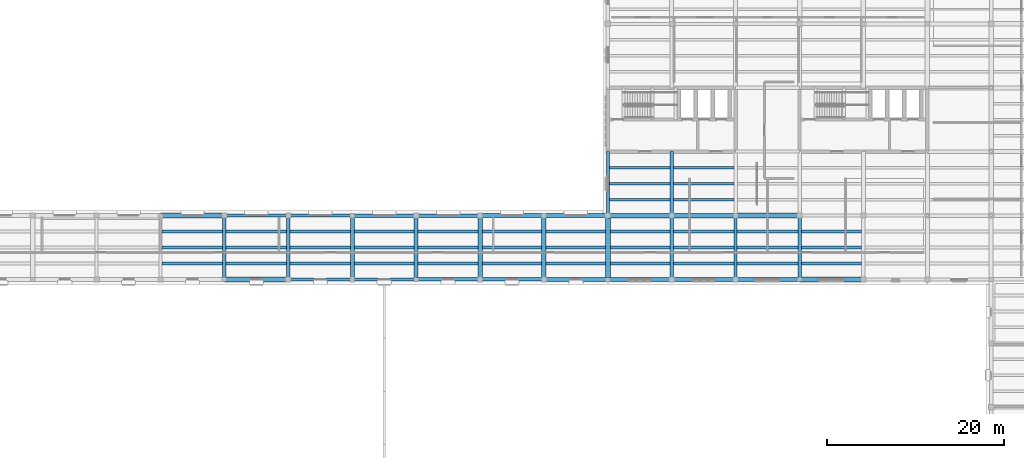
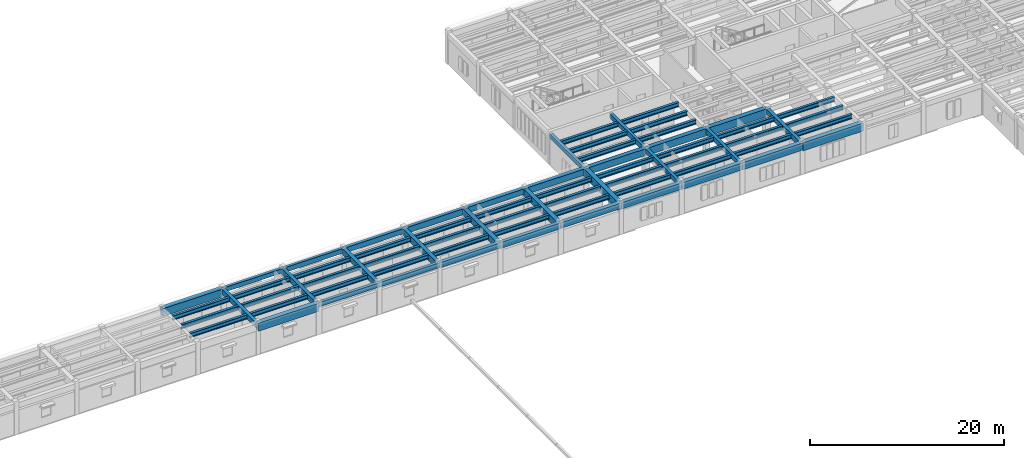
# One storey, part 2 of 27: 71 beams.
"""IFC4 building model written with IfcOpenShell, lengths in metres."""

from ifc_helpers import new_model, si_unit, direction, frame, origin, origin_2d, place, context, subcontext, project, spatial, rectangle, i_section, extrude, material, material_profile, profile_set, type_object, element, save


model = new_model("IFC4")

# Units and contexts
model_context = context("Model", 3, precision=1e-05, world=origin(), true_north=direction((0.0, 1.0)))
body_context = subcontext(model_context, "Body", "Model", "MODEL_VIEW")
ifc_project = project(units=[si_unit("LENGTHUNIT", "METRE"), si_unit("AREAUNIT", "SQUARE_METRE"), si_unit("VOLUMEUNIT", "CUBIC_METRE"), si_unit("PLANEANGLEUNIT", "RADIAN"), si_unit("MASSUNIT", "GRAM", prefix="KILO")], contexts=[model_context])

# Site, building, storey
site_placement = place(None, origin())
site = spatial("IfcSite", under=ifc_project, at=site_placement, CompositionType="ELEMENT")
building_placement = place(site_placement, origin())
building = spatial("IfcBuilding", under=site, at=building_placement, Name="Mithqara Police Headquarters", CompositionType="ELEMENT")
storey_placement = place(building_placement, frame((0.0, 0.0, 18.0)))
storey = spatial("IfcBuildingStorey", under=building, at=storey_placement, Name="L04", CompositionType="ELEMENT", Elevation=18.0)

# Beams
ifc_material_1 = material(Name="Steel S355JR", Category="steel")
ifc_material_profile_1 = material_profile(ifc_material_1, i_section(OverallWidth=0.300048828125, OverallDepth=0.550048828125, WebThickness=0.014892578125, FlangeThickness=0.029052734375, FilletRadius=0.027099609375, at=origin_2d()), Name="HEB 550")
ifc_profile_set_1 = profile_set([ifc_material_profile_1], Name="Steel S355JR")
beam_type_1 = type_object("IfcBeamType", Name="BEAM HEB550", PredefinedType="BEAM", material=ifc_profile_set_1)
for number, where, z_axis, x_axis, name in (
    (1, (58.375, 80.39990234375, 3.6650390625), (1.0, 0.0, 0.0), (0.0, 1.0, 0.0), "L04 Composite Steel Joist 9-10/M.1"),
    (2, (58.375, 82.199951171875, 3.6650390625), (1.0, 0.0, 0.0), (0.0, 1.0, 0.0), "L04 Composite Steel Joist 9-10/M.2"),
    (3, (58.375, 84.0, 3.6650390625), (1.0, 0.0, 0.0), (0.0, 1.0, 0.0), "L04 Composite Steel Joist 9-10/M.3"),
):
    element("IfcBeam", number, at=place(storey_placement, frame(where, z_axis=z_axis, x_axis=x_axis)), inside=storey, type_object=beam_type_1, Name=name, PredefinedType="BEAM", context=body_context, shape_type="SweptSolid", body=[
        extrude(i_section(OverallWidth=0.300048828125, OverallDepth=0.550048828125, WebThickness=0.014892578125, FlangeThickness=0.029052734375, FilletRadius=0.027099609375, at=origin_2d()), origin(), (0.0, 0.0, 1.0), 6.824951171875),
    ])
for number, where, z_axis, x_axis, name in (
    (4, (65.60009765625, 80.39990234375, 3.6650390625), (1.0, 0.0, 0.0), (0.0, 1.0, 0.0), "L04 Composite Steel Joist 10-11/M.1"),
    (5, (65.60009765625, 82.199951171875, 3.6650390625), (1.0, 0.0, 0.0), (0.0, 1.0, 0.0), "L04 Composite Steel Joist 10-11/M.2"),
    (6, (65.60009765625, 84.0, 3.6650390625), (1.0, 0.0, 0.0), (0.0, 1.0, 0.0), "L04 Composite Steel Joist 10-11/M.3"),
):
    element("IfcBeam", number, at=place(storey_placement, frame(where, z_axis=z_axis, x_axis=x_axis)), inside=storey, type_object=beam_type_1, Name=name, PredefinedType="BEAM", context=body_context, shape_type="SweptSolid", body=[
        extrude(i_section(OverallWidth=0.300048828125, OverallDepth=0.550048828125, WebThickness=0.014892578125, FlangeThickness=0.029052734375, FilletRadius=0.027099609375, at=origin_2d()), origin(), (0.0, 0.0, 1.0), 6.7998046875),
    ])
for number, where, z_axis, x_axis, name in (
    (7, (72.800048828125, 80.39990234375, 3.6650390625), (1.0, 0.0, 0.0), (0.0, 1.0, 0.0), "L04 Composite Steel Joist 11-12/M.1"),
    (8, (72.800048828125, 82.199951171875, 3.6650390625), (1.0, 0.0, 0.0), (0.0, 1.0, 0.0), "L04 Composite Steel Joist 11-12/M.2"),
    (9, (72.800048828125, 84.0, 3.6650390625), (1.0, 0.0, 0.0), (0.0, 1.0, 0.0), "L04 Composite Steel Joist 11-12/M.3"),
):
    element("IfcBeam", number, at=place(storey_placement, frame(where, z_axis=z_axis, x_axis=x_axis)), inside=storey, type_object=beam_type_1, Name=name, PredefinedType="BEAM", context=body_context, shape_type="SweptSolid", body=[
        extrude(i_section(OverallWidth=0.300048828125, OverallDepth=0.550048828125, WebThickness=0.014892578125, FlangeThickness=0.029052734375, FilletRadius=0.027099609375, at=origin_2d()), origin(), (0.0, 0.0, 1.0), 6.77490234375),
    ])
for number, where, z_axis, x_axis, name in (
    (10, (80.02490234375, 80.39990234375, 3.6650390625), (1.0, 0.0, 0.0), (0.0, 1.0, 0.0), "L04 Composite Steel Joist 12-13/M.1"),
    (11, (80.02490234375, 82.199951171875, 3.6650390625), (1.0, 0.0, 0.0), (0.0, 1.0, 0.0), "L04 Composite Steel Joist 12-13/M.2"),
    (12, (80.02490234375, 84.0, 3.6650390625), (1.0, 0.0, 0.0), (0.0, 1.0, 0.0), "L04 Composite Steel Joist 12-13/M.3"),
):
    element("IfcBeam", number, at=place(storey_placement, frame(where, z_axis=z_axis, x_axis=x_axis)), inside=storey, type_object=beam_type_1, Name=name, PredefinedType="BEAM", context=body_context, shape_type="SweptSolid", body=[
        extrude(i_section(OverallWidth=0.300048828125, OverallDepth=0.550048828125, WebThickness=0.014892578125, FlangeThickness=0.029052734375, FilletRadius=0.027099609375, at=origin_2d()), origin(), (0.0, 0.0, 1.0), 6.75),
    ])
for number, where, z_axis, x_axis, name in (
    (13, (87.22509765625, 80.39990234375, 3.6650390625), (1.0, 0.0, 0.0), (0.0, 1.0, 0.0), "L04 Composite Steel Joist 13-14/M.1"),
    (14, (87.22509765625, 82.199951171875, 3.6650390625), (1.0, 0.0, 0.0), (0.0, 1.0, 0.0), "L04 Composite Steel Joist 13-14/M.2"),
    (15, (87.22509765625, 84.0, 3.6650390625), (1.0, 0.0, 0.0), (0.0, 1.0, 0.0), "L04 Composite Steel Joist 13-14/M.3"),
):
    element("IfcBeam", number, at=place(storey_placement, frame(where, z_axis=z_axis, x_axis=x_axis)), inside=storey, type_object=beam_type_1, Name=name, PredefinedType="BEAM", context=body_context, shape_type="SweptSolid", body=[
        extrude(i_section(OverallWidth=0.300048828125, OverallDepth=0.550048828125, WebThickness=0.014892578125, FlangeThickness=0.029052734375, FilletRadius=0.027099609375, at=origin_2d()), origin(), (0.0, 0.0, 1.0), 6.724853515625),
    ])
for number, where, z_axis, x_axis, name in (
    (16, (94.449951171875, 80.39990234375, 3.6650390625), (1.0, 0.0, 0.0), (0.0, 1.0, 0.0), "L04 Composite Steel Joist 14-15/M.1"),
    (17, (94.449951171875, 82.199951171875, 3.6650390625), (1.0, 0.0, 0.0), (0.0, 1.0, 0.0), "L04 Composite Steel Joist 14-15/M.2"),
    (18, (94.449951171875, 84.0, 3.6650390625), (1.0, 0.0, 0.0), (0.0, 1.0, 0.0), "L04 Composite Steel Joist 14-15/M.3"),
):
    element("IfcBeam", number, at=place(storey_placement, frame(where, z_axis=z_axis, x_axis=x_axis)), inside=storey, type_object=beam_type_1, Name=name, PredefinedType="BEAM", context=body_context, shape_type="SweptSolid", body=[
        extrude(i_section(OverallWidth=0.300048828125, OverallDepth=0.550048828125, WebThickness=0.014892578125, FlangeThickness=0.029052734375, FilletRadius=0.027099609375, at=origin_2d()), origin(), (0.0, 0.0, 1.0), 6.699951171875),
    ])
for number, where, z_axis, x_axis, name in (
    (19, (101.64990234375, 80.39990234375, 3.6650390625), (1.0, 0.0, 0.0), (0.0, 1.0, 0.0), "L04 Composite Steel Joist 15-16/M.1"),
    (20, (101.64990234375, 82.199951171875, 3.6650390625), (1.0, 0.0, 0.0), (0.0, 1.0, 0.0), "L04 Composite Steel Joist 15-16/M.2"),
    (21, (101.64990234375, 84.0, 3.6650390625), (1.0, 0.0, 0.0), (0.0, 1.0, 0.0), "L04 Composite Steel Joist 15-16/M.3"),
):
    element("IfcBeam", number, at=place(storey_placement, frame(where, z_axis=z_axis, x_axis=x_axis)), inside=storey, type_object=beam_type_1, Name=name, PredefinedType="BEAM", context=body_context, shape_type="SweptSolid", body=[
        extrude(i_section(OverallWidth=0.300048828125, OverallDepth=0.550048828125, WebThickness=0.014892578125, FlangeThickness=0.029052734375, FilletRadius=0.027099609375, at=origin_2d()), origin(), (0.0, 0.0, 1.0), 6.675048828125),
    ])
for number, where, z_axis, x_axis, name in (
    (22, (108.875, 80.39990234375, 3.6650390625), (1.0, 0.0, 0.0), (0.0, 1.0, 0.0), "L04 Composite Steel Joist 16-17/M.1"),
    (23, (108.875, 82.199951171875, 3.6650390625), (1.0, 0.0, 0.0), (0.0, 1.0, 0.0), "L04 Composite Steel Joist 16-17/M.2"),
    (24, (108.875, 84.0, 3.6650390625), (1.0, 0.0, 0.0), (0.0, 1.0, 0.0), "L04 Composite Steel Joist 16-17/M.3"),
):
    element("IfcBeam", number, at=place(storey_placement, frame(where, z_axis=z_axis, x_axis=x_axis)), inside=storey, type_object=beam_type_1, Name=name, PredefinedType="BEAM", context=body_context, shape_type="SweptSolid", body=[
        extrude(i_section(OverallWidth=0.300048828125, OverallDepth=0.550048828125, WebThickness=0.014892578125, FlangeThickness=0.029052734375, FilletRadius=0.027099609375, at=origin_2d()), origin(), (0.0, 0.0, 1.0), 6.75),
    ])
for number, where, z_axis, x_axis, name in (
    (25, (108.77490234375, 87.60009765625, 3.6650390625), (1.0, 0.0, 0.0), (0.0, 1.0, 0.0), "L04 Composite Steel Joist 16-17/N.1"),
    (26, (108.77490234375, 89.39990234375, 3.6650390625), (1.0, 0.0, 0.0), (0.0, 1.0, 0.0), "L04 Composite Steel Joist 16-17/N.2"),
    (27, (108.77490234375, 91.199951171875, 3.6650390625), (1.0, 0.0, 0.0), (0.0, 1.0, 0.0), "L04 Composite Steel Joist 16-17/N.3"),
):
    element("IfcBeam", number, at=place(storey_placement, frame(where, z_axis=z_axis, x_axis=x_axis)), inside=storey, type_object=beam_type_1, Name=name, PredefinedType="BEAM", context=body_context, shape_type="SweptSolid", body=[
        extrude(i_section(OverallWidth=0.300048828125, OverallDepth=0.550048828125, WebThickness=0.014892578125, FlangeThickness=0.029052734375, FilletRadius=0.027099609375, at=origin_2d()), origin(), (0.0, 0.0, 1.0), 6.85009765625),
    ])
for number, where, z_axis, x_axis, name in (
    (28, (115.97509765625, 80.39990234375, 3.6650390625), (1.0, 0.0, 0.0), (0.0, 1.0, 0.0), "L04 Composite Steel Joist 17-18/M.1"),
    (29, (115.97509765625, 82.199951171875, 3.6650390625), (1.0, 0.0, 0.0), (0.0, 1.0, 0.0), "L04 Composite Steel Joist 17-18/M.2"),
    (30, (115.97509765625, 84.0, 3.6650390625), (1.0, 0.0, 0.0), (0.0, 1.0, 0.0), "L04 Composite Steel Joist 17-18/M.3"),
):
    element("IfcBeam", number, at=place(storey_placement, frame(where, z_axis=z_axis, x_axis=x_axis)), inside=storey, type_object=beam_type_1, Name=name, PredefinedType="BEAM", context=body_context, shape_type="SweptSolid", body=[
        extrude(i_section(OverallWidth=0.300048828125, OverallDepth=0.550048828125, WebThickness=0.014892578125, FlangeThickness=0.029052734375, FilletRadius=0.027099609375, at=origin_2d()), origin(), (0.0, 0.0, 1.0), 6.849853515625),
    ])
for number, where, z_axis, x_axis, name in (
    (31, (115.97509765625, 87.60009765625, 3.6650390625), (1.0, 0.0, 0.0), (0.0, 1.0, 0.0), "L04 Composite Steel Joist 17-18/N.1"),
    (32, (115.97509765625, 89.39990234375, 3.6650390625), (1.0, 0.0, 0.0), (0.0, 1.0, 0.0), "L04 Composite Steel Joist 17-18/N.2"),
    (33, (115.97509765625, 91.199951171875, 3.6650390625), (1.0, 0.0, 0.0), (0.0, 1.0, 0.0), "L04 Composite Steel Joist 17-18/N.3"),
    (34, (123.175048828125, 80.39990234375, 3.6650390625), (1.0, 0.0, 0.0), (0.0, 1.0, 0.0), "L04 Composite Steel Joist 18-19/M.1"),
    (35, (123.175048828125, 82.199951171875, 3.6650390625), (1.0, 0.0, 0.0), (0.0, 1.0, 0.0), "L04 Composite Steel Joist 18-19/M.2"),
    (36, (123.175048828125, 84.0, 3.6650390625), (1.0, 0.0, 0.0), (0.0, 1.0, 0.0), "L04 Composite Steel Joist 18-19/M.3"),
):
    element("IfcBeam", number, at=place(storey_placement, frame(where, z_axis=z_axis, x_axis=x_axis)), inside=storey, type_object=beam_type_1, Name=name, PredefinedType="BEAM", context=body_context, shape_type="SweptSolid", body=[
        extrude(i_section(OverallWidth=0.300048828125, OverallDepth=0.550048828125, WebThickness=0.014892578125, FlangeThickness=0.029052734375, FilletRadius=0.027099609375, at=origin_2d()), origin(), (0.0, 0.0, 1.0), 6.824951171875),
    ])
for number, where, z_axis, x_axis, name in (
    (37, (130.39990234375, 80.39990234375, 3.6650390625), (1.0, 0.0, 0.0), (0.0, 1.0, 0.0), "L04 Composite Steel Joist 19-20/M.1"),
    (38, (130.39990234375, 82.199951171875, 3.6650390625), (1.0, 0.0, 0.0), (0.0, 1.0, 0.0), "L04 Composite Steel Joist 19-20/M.2"),
    (39, (130.39990234375, 84.0, 3.6650390625), (1.0, 0.0, 0.0), (0.0, 1.0, 0.0), "L04 Composite Steel Joist 19-20/M.3"),
):
    element("IfcBeam", number, at=place(storey_placement, frame(where, z_axis=z_axis, x_axis=x_axis)), inside=storey, type_object=beam_type_1, Name=name, PredefinedType="BEAM", context=body_context, shape_type="SweptSolid", body=[
        extrude(i_section(OverallWidth=0.300048828125, OverallDepth=0.550048828125, WebThickness=0.014892578125, FlangeThickness=0.029052734375, FilletRadius=0.027099609375, at=origin_2d()), origin(), (0.0, 0.0, 1.0), 6.800048828125),
    ])
ifc_material_2 = material(Name="Concrete C40/50", Category="concrete")
ifc_material_profile_2 = material_profile(ifc_material_2, rectangle(XDim=0.35009765625, YDim=0.550048828125, at=origin_2d()), Name="RC 350x550")
ifc_profile_set_2 = profile_set([ifc_material_profile_2], Name="Concrete C40/50")
beam_type_2 = type_object("IfcBeamType", Name="BEAM RC350X550", PredefinedType="BEAM", material=ifc_profile_set_2)
beam_1_placement = place(storey_placement, frame((65.39990234375, 85.800048828125, 3.6650390625), z_axis=(1.0, 0.0, 0.0), x_axis=(0.0, 1.0, 0.0)))
element("IfcBeam", 40, at=beam_1_placement, inside=storey, type_object=beam_type_2, Name="L04 Girder 10-11/N", PredefinedType="BEAM", context=body_context, shape_type="SweptSolid", body=[
    extrude(rectangle(XDim=0.35009765625, YDim=0.550048828125, at=origin_2d()), origin(), (0.0, 0.0, 1.0), 7.2001953125),
])
for number, where, z_axis, x_axis, name in (
    (41, (72.60009765625, 78.60009765625, 3.6650390625), (1.0, 0.0, 0.0), (0.0, 1.0, 0.0), "L04 Girder 11-12/M"),
    (42, (108.60009765625, 85.800048828125, 3.6650390625), (0.0, 1.0, 0.0), (-1.0, 0.0, 0.0), "L04 Girder 16/N-P"),
    (43, (115.800048828125, 78.60009765625, 3.6650390625), (0.0, 1.0, 0.0), (-1.0, 0.0, 0.0), "L04 Girder 17/M-N"),
):
    element("IfcBeam", number, at=place(storey_placement, frame(where, z_axis=z_axis, x_axis=x_axis)), inside=storey, type_object=beam_type_2, Name=name, PredefinedType="BEAM", context=body_context, shape_type="SweptSolid", body=[
        extrude(rectangle(XDim=0.35009765625, YDim=0.550048828125, at=origin_2d()), origin(), (0.0, 0.0, 1.0), 7.199951171875),
    ])
ifc_material_profile_3 = material_profile(ifc_material_2, rectangle(XDim=0.35009765625, YDim=0.60009765625, at=origin_2d()), Name="RC 350x600")
ifc_profile_set_3 = profile_set([ifc_material_profile_3], Name="Concrete C40/50")
beam_type_3 = type_object("IfcBeamType", Name="BEAM RC350X600", PredefinedType="BEAM", material=ifc_profile_set_3)
for number, where, z_axis, x_axis, name in (
    (44, (72.60009765625, 85.800048828125, 3.639892578125), (1.0, 0.0, 0.0), (0.0, 1.0, 0.0), "L04 Girder 11-12/N"),
    (45, (79.800048828125, 78.60009765625, 3.639892578125), (1.0, 0.0, 0.0), (0.0, 1.0, 0.0), "L04 Girder 12-13/M"),
    (46, (115.800048828125, 85.800048828125, 3.639892578125), (0.0, 1.0, 0.0), (-1.0, 0.0, 0.0), "L04 Girder 17/N-P"),
    (47, (123.0, 78.60009765625, 3.639892578125), (0.0, 1.0, 0.0), (-1.0, 0.0, 0.0), "L04 Girder 18/M-N"),
):
    element("IfcBeam", number, at=place(storey_placement, frame(where, z_axis=z_axis, x_axis=x_axis)), inside=storey, type_object=beam_type_3, Name=name, PredefinedType="BEAM", context=body_context, shape_type="SweptSolid", body=[
        extrude(rectangle(XDim=0.35009765625, YDim=0.60009765625, at=origin_2d()), origin(), (0.0, 0.0, 1.0), 7.199951171875),
    ])
ifc_material_profile_4 = material_profile(ifc_material_2, rectangle(XDim=0.39990234375, YDim=0.64990234375, at=origin_2d()), Name="RC 400x650")
ifc_profile_set_4 = profile_set([ifc_material_profile_4], Name="Concrete C40/50")
beam_type_4 = type_object("IfcBeamType", Name="BEAM RC400X650", PredefinedType="BEAM", material=ifc_profile_set_4)
for number, where, z_axis, x_axis, name in (
    (48, (65.39990234375, 78.60009765625, 3.614990234375), (0.0, 1.0, 0.0), (-1.0, 0.0, 0.0), "L04 Girder 10/M-N"),
    (49, (79.800048828125, 85.800048828125, 3.614990234375), (1.0, 0.0, 0.0), (0.0, 1.0, 0.0), "L04 Girder 12-13/N"),
    (50, (87.0, 78.60009765625, 3.614990234375), (1.0, 0.0, 0.0), (0.0, 1.0, 0.0), "L04 Girder 13-14/M"),
    (51, (130.199951171875, 78.60009765625, 3.614990234375), (0.0, 1.0, 0.0), (-1.0, 0.0, 0.0), "L04 Girder 19/M-N"),
):
    element("IfcBeam", number, at=place(storey_placement, frame(where, z_axis=z_axis, x_axis=x_axis)), inside=storey, type_object=beam_type_4, Name=name, PredefinedType="BEAM", context=body_context, shape_type="SweptSolid", body=[
        extrude(rectangle(XDim=0.39990234375, YDim=0.64990234375, at=origin_2d()), origin(), (0.0, 0.0, 1.0), 7.199951171875),
    ])
ifc_material_profile_5 = material_profile(ifc_material_2, rectangle(XDim=0.39990234375, YDim=0.75, at=origin_2d()), Name="RC 400x750")
ifc_profile_set_5 = profile_set([ifc_material_profile_5], Name="Concrete C40/50")
beam_type_5 = type_object("IfcBeamType", Name="BEAM RC400X750", PredefinedType="BEAM", material=ifc_profile_set_5)
for number, where, z_axis, x_axis, name in (
    (52, (72.60009765625, 78.60009765625, 3.56494140625), (0.0, 1.0, 0.0), (-1.0, 0.0, 0.0), "L04 Girder 11/M-N"),
    (53, (87.0, 85.800048828125, 3.56494140625), (1.0, 0.0, 0.0), (0.0, 1.0, 0.0), "L04 Girder 13-14/N"),
    (54, (94.199951171875, 78.60009765625, 3.56494140625), (1.0, 0.0, 0.0), (0.0, 1.0, 0.0), "L04 Girder 14-15/M"),
):
    element("IfcBeam", number, at=place(storey_placement, frame(where, z_axis=z_axis, x_axis=x_axis)), inside=storey, type_object=beam_type_5, Name=name, PredefinedType="BEAM", context=body_context, shape_type="SweptSolid", body=[
        extrude(rectangle(XDim=0.39990234375, YDim=0.75, at=origin_2d()), origin(), (0.0, 0.0, 1.0), 7.199951171875),
    ])
ifc_material_profile_6 = material_profile(ifc_material_2, rectangle(XDim=0.449951171875, YDim=0.699951171875, at=origin_2d()), Name="RC 450x700")
ifc_profile_set_6 = profile_set([ifc_material_profile_6], Name="Concrete C40/50")
beam_type_6 = type_object("IfcBeamType", Name="BEAM RC450X700", PredefinedType="BEAM", material=ifc_profile_set_6)
for number, where, z_axis, x_axis, name in (
    (55, (79.800048828125, 78.60009765625, 3.590087890625), (0.0, 1.0, 0.0), (-1.0, 0.0, 0.0), "L04 Girder 12/M-N"),
    (56, (94.199951171875, 85.800048828125, 3.590087890625), (1.0, 0.0, 0.0), (0.0, 1.0, 0.0), "L04 Girder 14-15/N"),
):
    element("IfcBeam", number, at=place(storey_placement, frame(where, z_axis=z_axis, x_axis=x_axis)), inside=storey, type_object=beam_type_6, Name=name, PredefinedType="BEAM", context=body_context, shape_type="SweptSolid", body=[
        extrude(rectangle(XDim=0.449951171875, YDim=0.699951171875, at=origin_2d()), origin(), (0.0, 0.0, 1.0), 7.199951171875),
    ])
beam_2_placement = place(storey_placement, frame((101.39990234375, 78.60009765625, 3.590087890625), z_axis=(1.0, 0.0, 0.0), x_axis=(0.0, 1.0, 0.0)))
element("IfcBeam", 57, at=beam_2_placement, inside=storey, type_object=beam_type_6, Name="L04 Girder 15-16/M", PredefinedType="BEAM", context=body_context, shape_type="SweptSolid", body=[
    extrude(rectangle(XDim=0.449951171875, YDim=0.699951171875, at=origin_2d()), origin(), (0.0, 0.0, 1.0), 7.2001953125),
])
ifc_material_profile_7 = material_profile(ifc_material_2, rectangle(XDim=0.449951171875, YDim=0.800048828125, at=origin_2d()), Name="RC 450x800")
ifc_profile_set_7 = profile_set([ifc_material_profile_7], Name="Concrete C40/50")
beam_type_7 = type_object("IfcBeamType", Name="BEAM RC450X800", PredefinedType="BEAM", material=ifc_profile_set_7)
beam_3_placement = place(storey_placement, frame((87.0, 78.60009765625, 3.5400390625), z_axis=(0.0, 1.0, 0.0), x_axis=(-1.0, 0.0, 0.0)))
element("IfcBeam", 58, at=beam_3_placement, inside=storey, type_object=beam_type_7, Name="L04 Girder 13/M-N", PredefinedType="BEAM", context=body_context, shape_type="SweptSolid", body=[
    extrude(rectangle(XDim=0.449951171875, YDim=0.800048828125, at=origin_2d()), origin(), (0.0, 0.0, 1.0), 7.199951171875),
])
beam_4_placement = place(storey_placement, frame((101.39990234375, 85.800048828125, 3.5400390625), z_axis=(1.0, 0.0, 0.0), x_axis=(0.0, 1.0, 0.0)))
element("IfcBeam", 59, at=beam_4_placement, inside=storey, type_object=beam_type_7, Name="L04 Girder 15-16/N", PredefinedType="BEAM", context=body_context, shape_type="SweptSolid", body=[
    extrude(rectangle(XDim=0.449951171875, YDim=0.800048828125, at=origin_2d()), origin(), (0.0, 0.0, 1.0), 7.2001953125),
])
beam_5_placement = place(storey_placement, frame((108.60009765625, 78.60009765625, 3.5400390625), z_axis=(1.0, 0.0, 0.0), x_axis=(0.0, 1.0, 0.0)))
element("IfcBeam", 60, at=beam_5_placement, inside=storey, type_object=beam_type_7, Name="L04 Girder 16-17/M", PredefinedType="BEAM", context=body_context, shape_type="SweptSolid", body=[
    extrude(rectangle(XDim=0.449951171875, YDim=0.800048828125, at=origin_2d()), origin(), (0.0, 0.0, 1.0), 7.199951171875),
])
ifc_material_profile_8 = material_profile(ifc_material_2, rectangle(XDim=0.5, YDim=0.85009765625, at=origin_2d()), Name="RC 500x850")
ifc_profile_set_8 = profile_set([ifc_material_profile_8], Name="Concrete C40/50")
beam_type_8 = type_object("IfcBeamType", Name="BEAM RC500X850", PredefinedType="BEAM", material=ifc_profile_set_8)
for number, where, z_axis, x_axis, name in (
    (61, (94.199951171875, 78.60009765625, 3.514892578125), (0.0, 1.0, 0.0), (-1.0, 0.0, 0.0), "L04 Girder 14/M-N"),
    (62, (108.60009765625, 85.800048828125, 3.514892578125), (1.0, 0.0, 0.0), (0.0, 1.0, 0.0), "L04 Girder 16-17/N"),
    (63, (115.800048828125, 78.60009765625, 3.514892578125), (1.0, 0.0, 0.0), (0.0, 1.0, 0.0), "L04 Girder 17-18/M"),
):
    element("IfcBeam", number, at=place(storey_placement, frame(where, z_axis=z_axis, x_axis=x_axis)), inside=storey, type_object=beam_type_8, Name=name, PredefinedType="BEAM", context=body_context, shape_type="SweptSolid", body=[
        extrude(rectangle(XDim=0.5, YDim=0.85009765625, at=origin_2d()), origin(), (0.0, 0.0, 1.0), 7.199951171875),
    ])
ifc_material_3 = material(Name="Concrete C50/60", Category="concrete")
ifc_material_profile_9 = material_profile(ifc_material_3, rectangle(XDim=0.5, YDim=0.89990234375, at=origin_2d()), Name="RC 500x900")
ifc_profile_set_9 = profile_set([ifc_material_profile_9], Name="Concrete C50/60")
beam_type_9 = type_object("IfcBeamType", Name="BEAM RC500X900", PredefinedType="BEAM", material=ifc_profile_set_9)
for number, where, z_axis, x_axis, name in (
    (64, (101.39990234375, 78.60009765625, 3.489990234375), (0.0, 1.0, 0.0), (-1.0, 0.0, 0.0), "L04 Girder 15/M-N"),
    (65, (115.800048828125, 85.800048828125, 3.489990234375), (1.0, 0.0, 0.0), (0.0, 1.0, 0.0), "L04 Girder 17-18/N"),
    (66, (123.0, 78.60009765625, 3.489990234375), (1.0, 0.0, 0.0), (0.0, 1.0, 0.0), "L04 Girder 18-19/M"),
):
    element("IfcBeam", number, at=place(storey_placement, frame(where, z_axis=z_axis, x_axis=x_axis)), inside=storey, type_object=beam_type_9, Name=name, PredefinedType="BEAM", context=body_context, shape_type="SweptSolid", body=[
        extrude(rectangle(XDim=0.5, YDim=0.89990234375, at=origin_2d()), origin(), (0.0, 0.0, 1.0), 7.199951171875),
    ])
ifc_material_profile_10 = material_profile(ifc_material_3, rectangle(XDim=0.550048828125, YDim=1.0, at=origin_2d()), Name="RC 550x1000")
ifc_profile_set_10 = profile_set([ifc_material_profile_10], Name="Concrete C50/60")
beam_type_10 = type_object("IfcBeamType", Name="BEAM RC550X1000", PredefinedType="BEAM", material=ifc_profile_set_10)
beam_6_placement = place(storey_placement, frame((58.199951171875, 85.800048828125, 3.43994140625), z_axis=(1.0, 0.0, 0.0), x_axis=(0.0, 1.0, 0.0)))
element("IfcBeam", 67, at=beam_6_placement, inside=storey, type_object=beam_type_10, Name="L04 Girder 9-10/N", PredefinedType="BEAM", context=body_context, shape_type="SweptSolid", body=[
    extrude(rectangle(XDim=0.550048828125, YDim=1.0, at=origin_2d()), origin(), (0.0, 0.0, 1.0), 7.199951171875),
])
beam_7_placement = place(storey_placement, frame((65.39990234375, 78.60009765625, 3.43994140625), z_axis=(1.0, 0.0, 0.0), x_axis=(0.0, 1.0, 0.0)))
element("IfcBeam", 68, at=beam_7_placement, inside=storey, type_object=beam_type_10, Name="L04 Girder 10-11/M", PredefinedType="BEAM", context=body_context, shape_type="SweptSolid", body=[
    extrude(rectangle(XDim=0.550048828125, YDim=1.0, at=origin_2d()), origin(), (0.0, 0.0, 1.0), 7.2001953125),
])
for number, where, z_axis, x_axis, name in (
    (69, (108.60009765625, 78.60009765625, 3.43994140625), (0.0, 1.0, 0.0), (-1.0, 0.0, 0.0), "L04 Girder 16/M-N"),
    (70, (123.0, 85.800048828125, 3.43994140625), (1.0, 0.0, 0.0), (0.0, 1.0, 0.0), "L04 Girder 18-19/N"),
    (71, (130.199951171875, 78.60009765625, 3.43994140625), (1.0, 0.0, 0.0), (0.0, 1.0, 0.0), "L04 Girder 19-20/M"),
):
    element("IfcBeam", number, at=place(storey_placement, frame(where, z_axis=z_axis, x_axis=x_axis)), inside=storey, type_object=beam_type_10, Name=name, PredefinedType="BEAM", context=body_context, shape_type="SweptSolid", body=[
        extrude(rectangle(XDim=0.550048828125, YDim=1.0, at=origin_2d()), origin(), (0.0, 0.0, 1.0), 7.199951171875),
    ])

save(model, "model.ifc")
